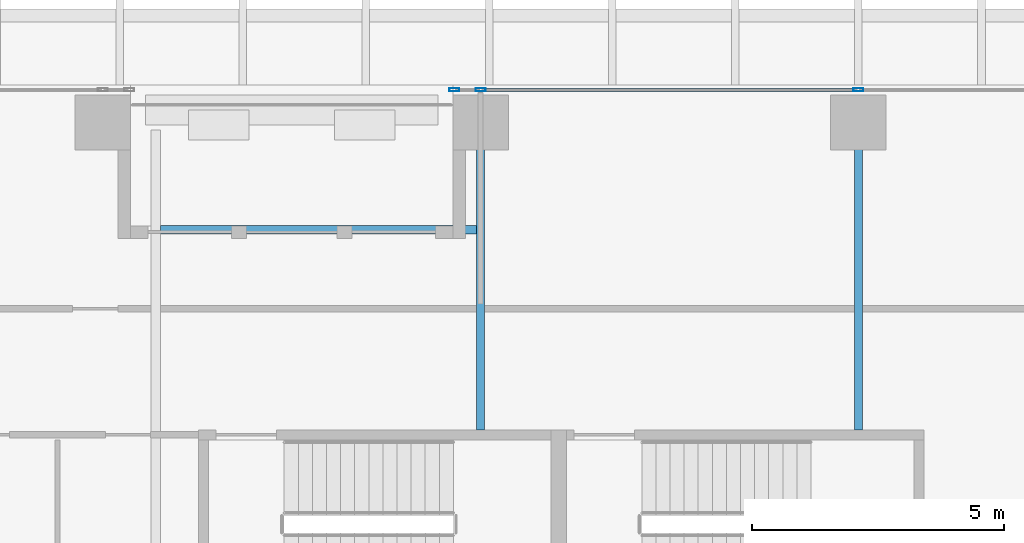
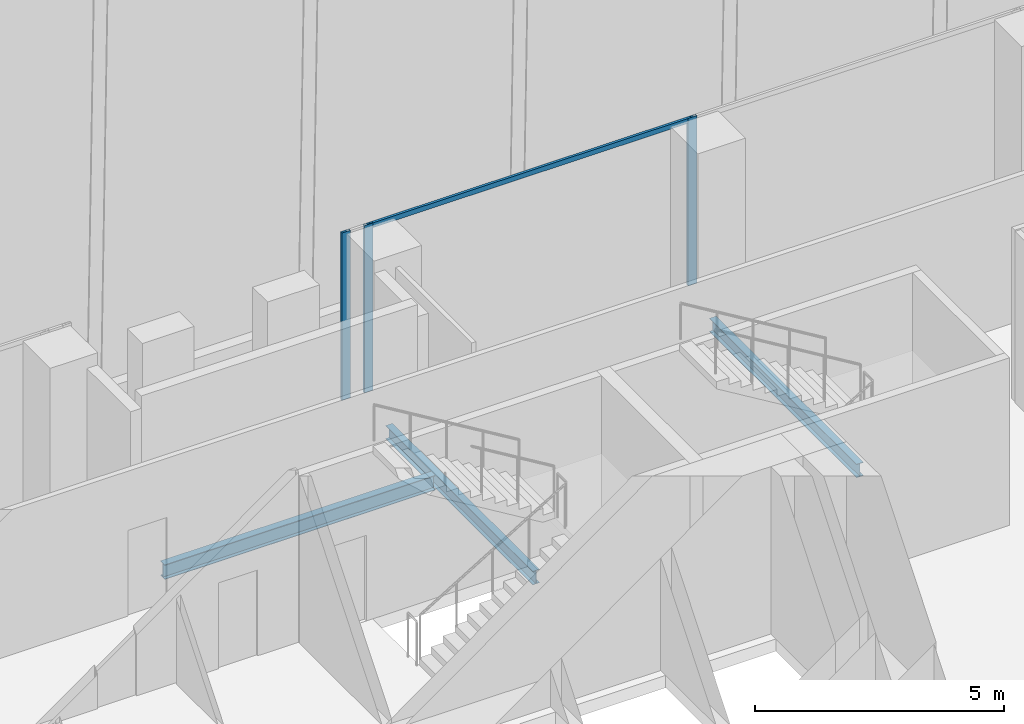
# One storey, part 15 of 37: 4 members, 3 beams, 1 element without a shape of its own.
"""IFC4 building model written with IfcOpenShell, lengths in metres."""

from ifc_helpers import new_model, si_unit, direction, frame, origin, origin_2d, place, context, subcontext, project, spatial, hollow_rectangle, i_section, extrude, source, transform, mapped, material, material_profile, profile_set, type_object, element, aggregate, save


model = new_model("IFC4")

# Units and contexts
model_context = context("Model", 3, precision=1e-05, world=origin(), true_north=direction((0.0, 1.0)))
body_context = subcontext(model_context, "Body", "Model", "MODEL_VIEW")
ifc_project = project(units=[si_unit("LENGTHUNIT", "METRE"), si_unit("AREAUNIT", "SQUARE_METRE"), si_unit("VOLUMEUNIT", "CUBIC_METRE"), si_unit("PLANEANGLEUNIT", "RADIAN"), si_unit("MASSUNIT", "GRAM", prefix="KILO")], contexts=[model_context])

# Site, building, storey
site_placement = place(None, origin())
site = spatial("IfcSite", under=ifc_project, at=site_placement, CompositionType="ELEMENT")
building_placement = place(site_placement, origin())
building = spatial("IfcBuilding", under=site, at=building_placement, Name="Khomas Fold Tower", CompositionType="ELEMENT")
storey_placement = place(building_placement, frame((0.0, 0.0, 101.5)))
storey = spatial("IfcBuildingStorey", under=building, at=storey_placement, Name="L21", CompositionType="ELEMENT", Elevation=101.5)

# Beams
ifc_material_1 = material(Name="Steel S355", Category="steel")
ifc_material_profile_1 = material_profile(ifc_material_1, i_section(OverallWidth=0.159912109375, OverallDepth=0.330078125, WebThickness=0.007568359375, FlangeThickness=0.011474609375, at=origin_2d()), Name="IPE 330")
ifc_profile_set_1 = profile_set([ifc_material_profile_1], Name="Steel S355")
beam_type_1 = type_object("IfcBeamType", Name="IPE 330 beam JB1", PredefinedType="BEAM", material=ifc_profile_set_1)
shared_shape_1 = source(origin(), body_context, "Body", "SweptSolid", [
    extrude(i_section(OverallWidth=0.159912109375, OverallDepth=0.330078125, WebThickness=0.007568359375, FlangeThickness=0.011474609375, at=origin_2d()), origin(), (0.0, 0.0, 1.0), 5.900146484375),
])
for number, where, z_axis, x_axis, name in (
    (1, (19.5, 45.64990234375, -0.465087890625), (0.0, 1.0, 0.0), (-1.0, 0.0, 0.0), "JB1"),
    (2, (27.0, 45.64990234375, -0.465087890625), (0.0, 1.0, 0.0), (-1.0, 0.0, 0.0), "JB1"),
):
    element("IfcBeam", number, at=place(storey_placement, frame(where, z_axis=z_axis, x_axis=x_axis)), inside=storey, type_object=beam_type_1, Name=name, PredefinedType="BEAM", context=body_context, shape_type="MappedRepresentation", body=[
        mapped(shared_shape_1, transform((0.0, 0.0, 0.0))),
    ])
ifc_material_2 = material(Name="Steel S355", Category="steel")
ifc_material_profile_2 = material_profile(ifc_material_2, i_section(OverallWidth=0.169921875, OverallDepth=0.360107421875, WebThickness=0.008056640625, FlangeThickness=0.0126953125, at=origin_2d()), Name="IPE 360")
ifc_profile_set_2 = profile_set([ifc_material_profile_2], Name="Steel S355")
beam_type_2 = type_object("IfcBeamType", Name="IPE 360 beam BB4", PredefinedType="BEAM", material=ifc_profile_set_2)
shared_shape_2 = source(origin(), body_context, "Body", "SweptSolid", [
    extrude(i_section(OverallWidth=0.169921875, OverallDepth=0.360107421875, WebThickness=0.008056640625, FlangeThickness=0.0126953125, at=origin_2d()), origin(), (0.0, 0.0, 1.0), 6.27490234375),
])
beam_placement = place(storey_placement, frame((13.14501953125, 49.625, -0.47998046875), z_axis=(1.0, 0.0, 0.0), x_axis=(0.0, 1.0, 0.0)))
element("IfcBeam", 3, at=beam_placement, inside=storey, type_object=beam_type_2, Name="BB4", PredefinedType="BEAM", context=body_context, shape_type="MappedRepresentation", body=[
    mapped(shared_shape_2, transform((0.0, 0.0, 0.0))),
])

# Curtain wall, members
ifc_material_3 = material(Name="Aluminium framed double glazing", Category="aluminium")
curtain_wall_type = type_object("IfcCurtainWallType", Name="SK-Unitised clear-glass wall, growing floors CW1", PredefinedType="NOTDEFINED", material=ifc_material_3)
curtain_wall_placement = place(storey_placement, origin())
curtain_wall = element("IfcCurtainWall", 4, at=curtain_wall_placement, inside=storey, type_object=curtain_wall_type, Name="CW1 run L21 06-0", PredefinedType="NOTDEFINED")
ifc_material_4 = material(Name="Aluminium", Category="aluminium")
ifc_material_profile_3 = material_profile(ifc_material_4, hollow_rectangle(XDim=0.06005859375, YDim=0.1201171875, WallThickness=0.00390625, at=origin_2d()), Name="SK-Unitised clear-glass wall, growing floors transom CW1-T")
ifc_profile_set_3 = profile_set([ifc_material_profile_3], Name="Aluminium")
member_type_1 = type_object("IfcMemberType", Name="SK-Unitised clear-glass wall, growing floors transom CW1-T", PredefinedType="USERDEFINED", material=ifc_profile_set_3)
shared_shape_3 = source(origin(), body_context, "Body", "SweptSolid", [
    extrude(hollow_rectangle(XDim=0.06005859375, YDim=0.1201171875, WallThickness=0.00390625, at=origin_2d()), origin(), (0.0, 0.0, 1.0), 7.43994140625),
])
member_1_placement = place(storey_placement, frame((26.969970703125, 52.39990234375, 4.0400390625), z_axis=(-1.0, 0.0, 0.0), x_axis=(0.0, -1.0, 0.0)))
member_1 = element("IfcMember", 5, at=member_1_placement, type_object=member_type_1, Name="CW1 transom 5", ObjectType="TRANSOM", PredefinedType="USERDEFINED", context=body_context, shape_type="MappedRepresentation", body=[
    mapped(shared_shape_3, transform((0.0, 0.0, 0.0))),
])
ifc_material_5 = material(Name="Aluminium", Category="aluminium")
ifc_material_profile_4 = material_profile(ifc_material_5, hollow_rectangle(XDim=0.06005859375, YDim=0.199951171875, WallThickness=0.00390625, at=origin_2d()), Name="SK-Unitised clear-glass wall, growing floors mullion CW1-M")
ifc_profile_set_4 = profile_set([ifc_material_profile_4], Name="Aluminium")
member_type_2 = type_object("IfcMemberType", Name="SK-Unitised clear-glass wall, growing floors mullion CW1-M", PredefinedType="MULLION", material=ifc_profile_set_4)
shared_shape_4 = source(origin(), body_context, "Body", "SweptSolid", [
    extrude(hollow_rectangle(XDim=0.06005859375, YDim=0.199951171875, WallThickness=0.00390625, at=origin_2d()), origin(), (0.0, 0.0, 1.0), 4.10009765625),
])
member_2_placement = place(storey_placement, frame((27.0, 52.39990234375, 0.0), z_axis=(0.0, 0.0, 1.0), x_axis=(0.0, -1.0, 0.0)))
member_2 = element("IfcMember", 6, at=member_2_placement, type_object=member_type_2, Name="CW1 mullion 5", PredefinedType="MULLION", context=body_context, shape_type="MappedRepresentation", body=[
    mapped(shared_shape_4, transform((0.0, 0.0, 0.0))),
])
member_3_placement = place(storey_placement, frame((19.5, 52.39990234375, 0.0), z_axis=(0.0, 0.0, 1.0), x_axis=(0.0, -1.0, 0.0)))
member_3 = element("IfcMember", 7, at=member_3_placement, type_object=member_type_2, Name="CW1 mullion 6", PredefinedType="MULLION", context=body_context, shape_type="MappedRepresentation", body=[
    mapped(shared_shape_4, transform((0.0, 0.0, 0.0))),
])
member_4_placement = place(storey_placement, frame((18.97998046875, 52.39990234375, 0.0), z_axis=(0.0, 0.0, 1.0), x_axis=(0.0, -1.0, 0.0)))
member_4 = element("IfcMember", 8, at=member_4_placement, type_object=member_type_2, Name="CW1 mullion 7", PredefinedType="MULLION", context=body_context, shape_type="MappedRepresentation", body=[
    mapped(shared_shape_4, transform((0.0, 0.0, 0.0))),
])
aggregate(curtain_wall, [member_2, member_3, member_4, member_1])

save(model, "model.ifc")
